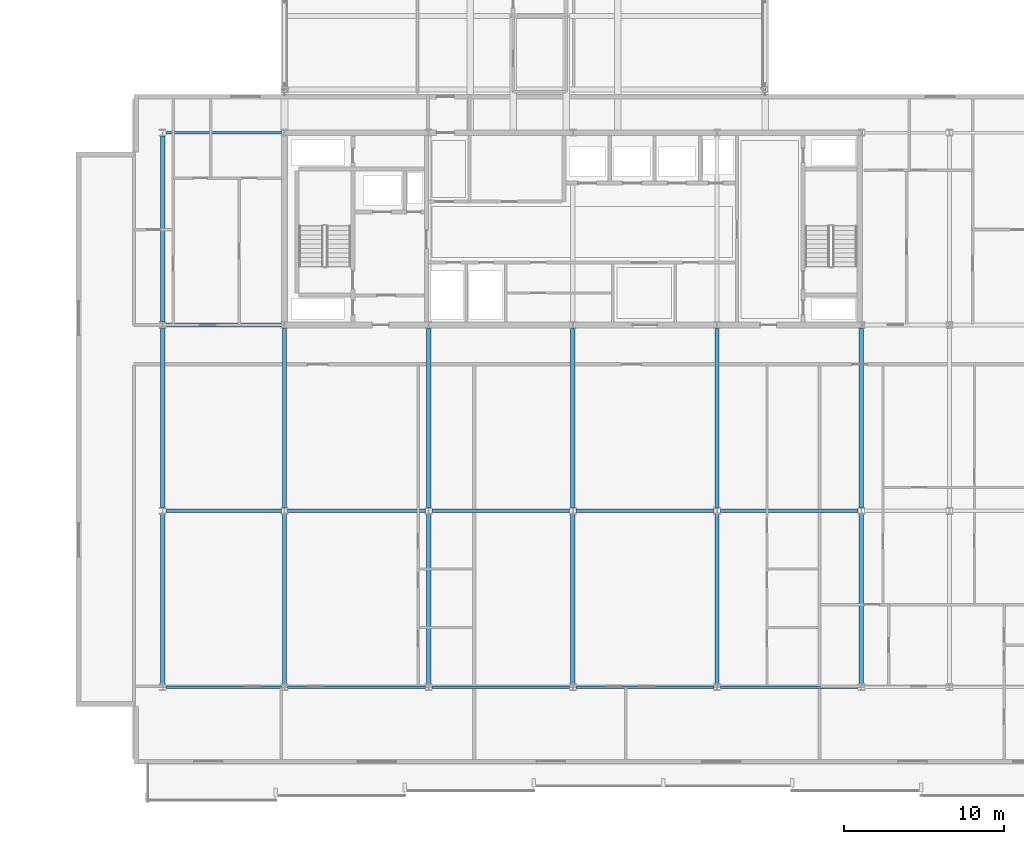
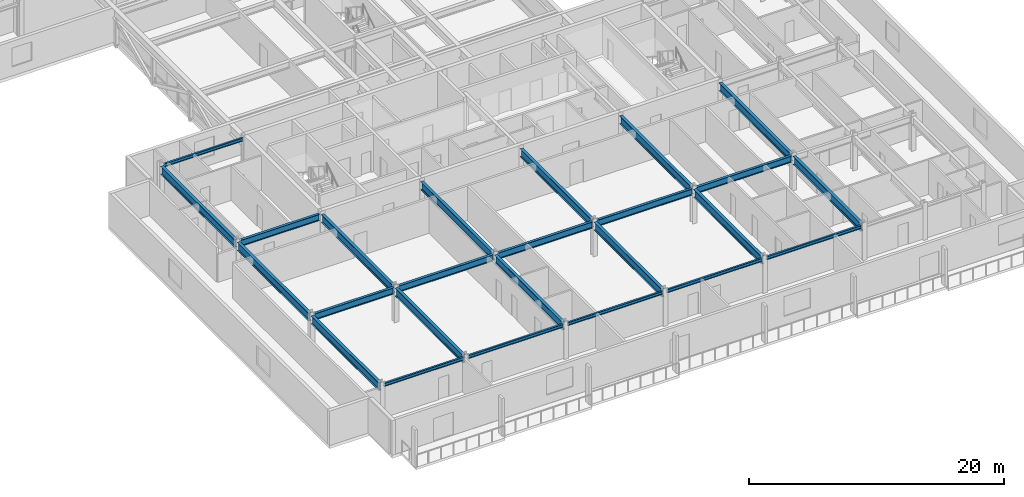
# One storey, part 3 of 35: 25 beams.
"""IFC4 building model written with IfcOpenShell, lengths in metres."""

from ifc_helpers import new_model, si_unit, direction, frame, origin, origin_2d, place, context, subcontext, project, spatial, i_section, extrude, material, material_profile, profile_set, type_object, element, save


model = new_model("IFC4")

# Units and contexts
model_context = context("Model", 3, precision=1e-05, world=origin(), true_north=direction((0.0, 1.0)))
body_context = subcontext(model_context, "Body", "Model", "MODEL_VIEW")
ifc_project = project(units=[si_unit("LENGTHUNIT", "METRE"), si_unit("AREAUNIT", "SQUARE_METRE"), si_unit("VOLUMEUNIT", "CUBIC_METRE"), si_unit("PLANEANGLEUNIT", "RADIAN"), si_unit("MASSUNIT", "GRAM", prefix="KILO")], contexts=[model_context])

# Site, building, storey
site_placement = place(None, origin())
site = spatial("IfcSite", under=ifc_project, at=site_placement, CompositionType="ELEMENT")
building_placement = place(site_placement, origin())
building = spatial("IfcBuilding", under=site, at=building_placement, Name="Korimba Cascade Residences", CompositionType="ELEMENT")
storey_placement = place(building_placement, frame((0.0, 0.0, 150.10009765625)))
storey = spatial("IfcBuildingStorey", under=building, at=storey_placement, Name="L43", CompositionType="ELEMENT", Elevation=150.10009765625)

# Beams
ifc_material = material(Name="Steel S355", Category="steel")
ifc_material_profile_1 = material_profile(ifc_material, i_section(OverallWidth=0.165771484375, OverallDepth=0.306640625, WebThickness=0.006591796875, FlangeThickness=0.01171875, FilletRadius=0.0087890625, at=origin_2d()), Name="Steel S355")
ifc_profile_set_1 = profile_set([ifc_material_profile_1], Name="Steel S355")
beam_type_1 = type_object("IfcBeamType", Name="BM-STL-UB305", PredefinedType="SPANDREL", material=ifc_profile_set_1)
beam_1_placement = place(storey_placement, frame((74.701416015625, -4.199951171875, 3.156494140625), z_axis=(1.0, 0.0, 0.0), x_axis=(0.0, 1.0, 0.0)))
element("IfcBeam", 1, at=beam_1_placement, inside=storey, type_object=beam_type_1, Name="L43 T2 E-W Girder Y1 Bay 1", PredefinedType="SPANDREL", context=body_context, shape_type="SweptSolid", body=[
    extrude(i_section(OverallWidth=0.165771484375, OverallDepth=0.306640625, WebThickness=0.006591796875, FlangeThickness=0.01171875, FilletRadius=0.0087890625, at=origin_2d()), origin(), (0.0, 0.0, 1.0), 7.197021484375),
])
for number, where, z_axis, x_axis, name in (
    (2, (82.301513671875, -4.199951171875, 3.156494140625), (1.0, 0.0, 0.0), (0.0, 1.0, 0.0), "L43 T2 E-W Girder Y1 Bay 2"),
    (3, (91.301513671875, -4.199951171875, 3.156494140625), (1.0, 0.0, 0.0), (0.0, 1.0, 0.0), "L43 T2 E-W Girder Y1 Bay 3"),
    (4, (100.301513671875, -4.199951171875, 3.156494140625), (1.0, 0.0, 0.0), (0.0, 1.0, 0.0), "L43 T2 E-W Girder Y1 Bay 4"),
    (5, (109.301513671875, -4.199951171875, 3.156494140625), (1.0, 0.0, 0.0), (0.0, 1.0, 0.0), "L43 T2 E-W Girder Y1 Bay 5"),
):
    element("IfcBeam", number, at=place(storey_placement, frame(where, z_axis=z_axis, x_axis=x_axis)), inside=storey, type_object=beam_type_1, Name=name, PredefinedType="SPANDREL", context=body_context, shape_type="SweptSolid", body=[
        extrude(i_section(OverallWidth=0.165771484375, OverallDepth=0.306640625, WebThickness=0.006591796875, FlangeThickness=0.01171875, FilletRadius=0.0087890625, at=origin_2d()), origin(), (0.0, 0.0, 1.0), 8.596923828125),
    ])
beam_2_placement = place(storey_placement, frame((74.701416015625, 30.39990234375, 3.156494140625), z_axis=(1.0, 0.0, 0.0), x_axis=(0.0, 1.0, 0.0)))
element("IfcBeam", 6, at=beam_2_placement, inside=storey, type_object=beam_type_1, Name="L43 T2 E-W Girder Y4 Bay 1", PredefinedType="SPANDREL", context=body_context, shape_type="SweptSolid", body=[
    extrude(i_section(OverallWidth=0.165771484375, OverallDepth=0.306640625, WebThickness=0.006591796875, FlangeThickness=0.01171875, FilletRadius=0.0087890625, at=origin_2d()), origin(), (0.0, 0.0, 1.0), 7.197021484375),
])
ifc_material_profile_2 = material_profile(ifc_material, i_section(OverallWidth=0.22900390625, OverallDepth=0.6123046875, WebThickness=0.011962890625, FlangeThickness=0.01953125, FilletRadius=0.0126953125, at=origin_2d()), Name="Steel S355")
ifc_profile_set_2 = profile_set([ifc_material_profile_2], Name="Steel S355")
beam_type_2 = type_object("IfcBeamType", Name="BM-STL-UB610B", PredefinedType="BEAM", material=ifc_profile_set_2)
beam_3_placement = place(storey_placement, frame((74.701416015625, 6.800048828125, 3.00390625), z_axis=(1.0, 0.0, 0.0), x_axis=(0.0, 1.0, 0.0)))
element("IfcBeam", 7, at=beam_3_placement, inside=storey, type_object=beam_type_2, Name="L43 T2 E-W Girder Y2 Bay 1", PredefinedType="BEAM", context=body_context, shape_type="SweptSolid", body=[
    extrude(i_section(OverallWidth=0.22900390625, OverallDepth=0.6123046875, WebThickness=0.011962890625, FlangeThickness=0.01953125, FilletRadius=0.0126953125, at=origin_2d()), origin(), (0.0, 0.0, 1.0), 7.197021484375),
])
for number, where, z_axis, x_axis, name in (
    (8, (82.301513671875, 6.800048828125, 3.00390625), (1.0, 0.0, 0.0), (0.0, 1.0, 0.0), "L43 T2 E-W Girder Y2 Bay 2"),
    (9, (91.301513671875, 6.800048828125, 3.00390625), (1.0, 0.0, 0.0), (0.0, 1.0, 0.0), "L43 T2 E-W Girder Y2 Bay 3"),
    (10, (100.301513671875, 6.800048828125, 3.00390625), (1.0, 0.0, 0.0), (0.0, 1.0, 0.0), "L43 T2 E-W Girder Y2 Bay 4"),
    (11, (109.301513671875, 6.800048828125, 3.00390625), (1.0, 0.0, 0.0), (0.0, 1.0, 0.0), "L43 T2 E-W Girder Y2 Bay 5"),
):
    element("IfcBeam", number, at=place(storey_placement, frame(where, z_axis=z_axis, x_axis=x_axis)), inside=storey, type_object=beam_type_2, Name=name, PredefinedType="BEAM", context=body_context, shape_type="SweptSolid", body=[
        extrude(i_section(OverallWidth=0.22900390625, OverallDepth=0.6123046875, WebThickness=0.011962890625, FlangeThickness=0.01953125, FilletRadius=0.0126953125, at=origin_2d()), origin(), (0.0, 0.0, 1.0), 8.596923828125),
    ])
beam_4_placement = place(storey_placement, frame((74.701416015625, 18.39990234375, 3.00390625), z_axis=(1.0, 0.0, 0.0), x_axis=(0.0, 1.0, 0.0)))
element("IfcBeam", 12, at=beam_4_placement, inside=storey, type_object=beam_type_2, Name="L43 T2 E-W Girder Y3 Bay 1", PredefinedType="BEAM", context=body_context, shape_type="SweptSolid", body=[
    extrude(i_section(OverallWidth=0.22900390625, OverallDepth=0.6123046875, WebThickness=0.011962890625, FlangeThickness=0.01953125, FilletRadius=0.0126953125, at=origin_2d()), origin(), (0.0, 0.0, 1.0), 7.197021484375),
])
ifc_material_profile_3 = material_profile(ifc_material, i_section(OverallWidth=0.26806640625, OverallDepth=0.769775390625, WebThickness=0.015625, FlangeThickness=0.025390625, FilletRadius=0.0166015625, at=origin_2d()), Name="Steel S355")
ifc_profile_set_3 = profile_set([ifc_material_profile_3], Name="Steel S355")
beam_type_3 = type_object("IfcBeamType", Name="BM-STL-UB762", PredefinedType="BEAM", material=ifc_profile_set_3)
beam_5_placement = place(storey_placement, frame((74.5, -3.996826171875, 2.925048828125), z_axis=(0.0, 1.0, 0.0), x_axis=(-1.0, 0.0, 0.0)))
element("IfcBeam", 13, at=beam_5_placement, inside=storey, type_object=beam_type_3, Name="L43 T2 N-S Girder X1 Seg 1", PredefinedType="BEAM", context=body_context, shape_type="SweptSolid", body=[
    extrude(i_section(OverallWidth=0.26806640625, OverallDepth=0.769775390625, WebThickness=0.015625, FlangeThickness=0.025390625, FilletRadius=0.0166015625, at=origin_2d()), origin(), (0.0, 0.0, 1.0), 10.593505859375),
])
beam_6_placement = place(storey_placement, frame((74.5, 7.003173828125, 2.925048828125), z_axis=(0.0, 1.0, 0.0), x_axis=(-1.0, 0.0, 0.0)))
element("IfcBeam", 14, at=beam_6_placement, inside=storey, type_object=beam_type_3, Name="L43 T2 N-S Girder X1 Seg 2", PredefinedType="BEAM", context=body_context, shape_type="SweptSolid", body=[
    extrude(i_section(OverallWidth=0.26806640625, OverallDepth=0.769775390625, WebThickness=0.015625, FlangeThickness=0.025390625, FilletRadius=0.0166015625, at=origin_2d()), origin(), (0.0, 0.0, 1.0), 11.193603515625),
])
beam_7_placement = place(storey_placement, frame((74.5, 18.603271484375, 2.925048828125), z_axis=(0.0, 1.0, 0.0), x_axis=(-1.0, 0.0, 0.0)))
element("IfcBeam", 15, at=beam_7_placement, inside=storey, type_object=beam_type_3, Name="L43 T2 N-S Girder X1 Seg 3", PredefinedType="BEAM", context=body_context, shape_type="SweptSolid", body=[
    extrude(i_section(OverallWidth=0.26806640625, OverallDepth=0.769775390625, WebThickness=0.015625, FlangeThickness=0.025390625, FilletRadius=0.0166015625, at=origin_2d()), origin(), (0.0, 0.0, 1.0), 11.593505859375),
])
beam_8_placement = place(storey_placement, frame((82.10009765625, -3.996826171875, 2.925048828125), z_axis=(0.0, 1.0, 0.0), x_axis=(-1.0, 0.0, 0.0)))
element("IfcBeam", 16, at=beam_8_placement, inside=storey, type_object=beam_type_3, Name="L43 T2 N-S Girder X2 Seg 1", PredefinedType="BEAM", context=body_context, shape_type="SweptSolid", body=[
    extrude(i_section(OverallWidth=0.26806640625, OverallDepth=0.769775390625, WebThickness=0.015625, FlangeThickness=0.025390625, FilletRadius=0.0166015625, at=origin_2d()), origin(), (0.0, 0.0, 1.0), 10.593505859375),
])
beam_9_placement = place(storey_placement, frame((82.10009765625, 7.003173828125, 2.925048828125), z_axis=(0.0, 1.0, 0.0), x_axis=(-1.0, 0.0, 0.0)))
element("IfcBeam", 17, at=beam_9_placement, inside=storey, type_object=beam_type_3, Name="L43 T2 N-S Girder X2 Seg 2", PredefinedType="BEAM", context=body_context, shape_type="SweptSolid", body=[
    extrude(i_section(OverallWidth=0.26806640625, OverallDepth=0.769775390625, WebThickness=0.015625, FlangeThickness=0.025390625, FilletRadius=0.0166015625, at=origin_2d()), origin(), (0.0, 0.0, 1.0), 11.193603515625),
])
beam_10_placement = place(storey_placement, frame((91.10009765625, -3.996826171875, 2.925048828125), z_axis=(0.0, 1.0, 0.0), x_axis=(-1.0, 0.0, 0.0)))
element("IfcBeam", 18, at=beam_10_placement, inside=storey, type_object=beam_type_3, Name="L43 T2 N-S Girder X3 Seg 1", PredefinedType="BEAM", context=body_context, shape_type="SweptSolid", body=[
    extrude(i_section(OverallWidth=0.26806640625, OverallDepth=0.769775390625, WebThickness=0.015625, FlangeThickness=0.025390625, FilletRadius=0.0166015625, at=origin_2d()), origin(), (0.0, 0.0, 1.0), 10.593505859375),
])
beam_11_placement = place(storey_placement, frame((91.10009765625, 7.003173828125, 2.925048828125), z_axis=(0.0, 1.0, 0.0), x_axis=(-1.0, 0.0, 0.0)))
element("IfcBeam", 19, at=beam_11_placement, inside=storey, type_object=beam_type_3, Name="L43 T2 N-S Girder X3 Seg 2", PredefinedType="BEAM", context=body_context, shape_type="SweptSolid", body=[
    extrude(i_section(OverallWidth=0.26806640625, OverallDepth=0.769775390625, WebThickness=0.015625, FlangeThickness=0.025390625, FilletRadius=0.0166015625, at=origin_2d()), origin(), (0.0, 0.0, 1.0), 11.193603515625),
])
beam_12_placement = place(storey_placement, frame((100.10009765625, -3.996826171875, 2.925048828125), z_axis=(0.0, 1.0, 0.0), x_axis=(-1.0, 0.0, 0.0)))
element("IfcBeam", 20, at=beam_12_placement, inside=storey, type_object=beam_type_3, Name="L43 T2 N-S Girder X4 Seg 1", PredefinedType="BEAM", context=body_context, shape_type="SweptSolid", body=[
    extrude(i_section(OverallWidth=0.26806640625, OverallDepth=0.769775390625, WebThickness=0.015625, FlangeThickness=0.025390625, FilletRadius=0.0166015625, at=origin_2d()), origin(), (0.0, 0.0, 1.0), 10.593505859375),
])
beam_13_placement = place(storey_placement, frame((100.10009765625, 7.003173828125, 2.925048828125), z_axis=(0.0, 1.0, 0.0), x_axis=(-1.0, 0.0, 0.0)))
element("IfcBeam", 21, at=beam_13_placement, inside=storey, type_object=beam_type_3, Name="L43 T2 N-S Girder X4 Seg 2", PredefinedType="BEAM", context=body_context, shape_type="SweptSolid", body=[
    extrude(i_section(OverallWidth=0.26806640625, OverallDepth=0.769775390625, WebThickness=0.015625, FlangeThickness=0.025390625, FilletRadius=0.0166015625, at=origin_2d()), origin(), (0.0, 0.0, 1.0), 11.193603515625),
])
beam_14_placement = place(storey_placement, frame((109.10009765625, -3.996826171875, 2.925048828125), z_axis=(0.0, 1.0, 0.0), x_axis=(-1.0, 0.0, 0.0)))
element("IfcBeam", 22, at=beam_14_placement, inside=storey, type_object=beam_type_3, Name="L43 T2 N-S Girder X5 Seg 1", PredefinedType="BEAM", context=body_context, shape_type="SweptSolid", body=[
    extrude(i_section(OverallWidth=0.26806640625, OverallDepth=0.769775390625, WebThickness=0.015625, FlangeThickness=0.025390625, FilletRadius=0.0166015625, at=origin_2d()), origin(), (0.0, 0.0, 1.0), 10.593505859375),
])
beam_15_placement = place(storey_placement, frame((109.10009765625, 7.003173828125, 2.925048828125), z_axis=(0.0, 1.0, 0.0), x_axis=(-1.0, 0.0, 0.0)))
element("IfcBeam", 23, at=beam_15_placement, inside=storey, type_object=beam_type_3, Name="L43 T2 N-S Girder X5 Seg 2", PredefinedType="BEAM", context=body_context, shape_type="SweptSolid", body=[
    extrude(i_section(OverallWidth=0.26806640625, OverallDepth=0.769775390625, WebThickness=0.015625, FlangeThickness=0.025390625, FilletRadius=0.0166015625, at=origin_2d()), origin(), (0.0, 0.0, 1.0), 11.193603515625),
])
beam_16_placement = place(storey_placement, frame((118.10009765625, -3.996826171875, 2.925048828125), z_axis=(0.0, 1.0, 0.0), x_axis=(-1.0, 0.0, 0.0)))
element("IfcBeam", 24, at=beam_16_placement, inside=storey, type_object=beam_type_3, Name="L43 T2 N-S Girder X6 Seg 1", PredefinedType="BEAM", context=body_context, shape_type="SweptSolid", body=[
    extrude(i_section(OverallWidth=0.26806640625, OverallDepth=0.769775390625, WebThickness=0.015625, FlangeThickness=0.025390625, FilletRadius=0.0166015625, at=origin_2d()), origin(), (0.0, 0.0, 1.0), 10.593505859375),
])
beam_17_placement = place(storey_placement, frame((118.10009765625, 7.003173828125, 2.925048828125), z_axis=(0.0, 1.0, 0.0), x_axis=(-1.0, 0.0, 0.0)))
element("IfcBeam", 25, at=beam_17_placement, inside=storey, type_object=beam_type_3, Name="L43 T2 N-S Girder X6 Seg 2", PredefinedType="BEAM", context=body_context, shape_type="SweptSolid", body=[
    extrude(i_section(OverallWidth=0.26806640625, OverallDepth=0.769775390625, WebThickness=0.015625, FlangeThickness=0.025390625, FilletRadius=0.0166015625, at=origin_2d()), origin(), (0.0, 0.0, 1.0), 11.193603515625),
])

save(model, "model.ifc")
